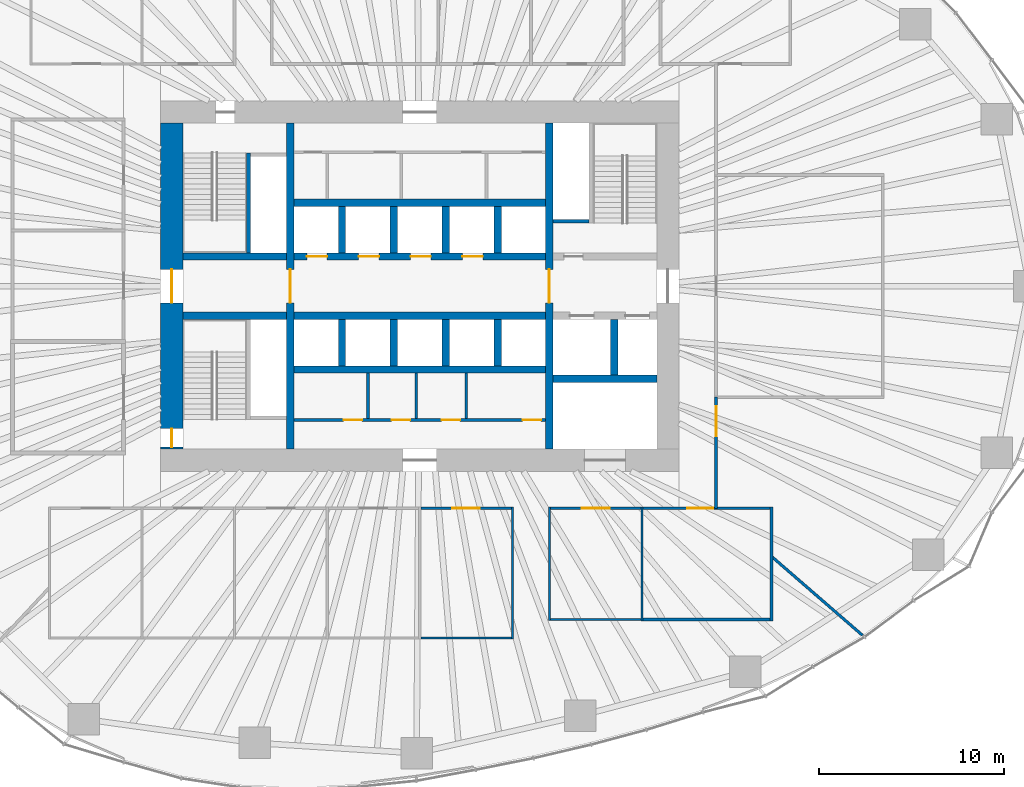
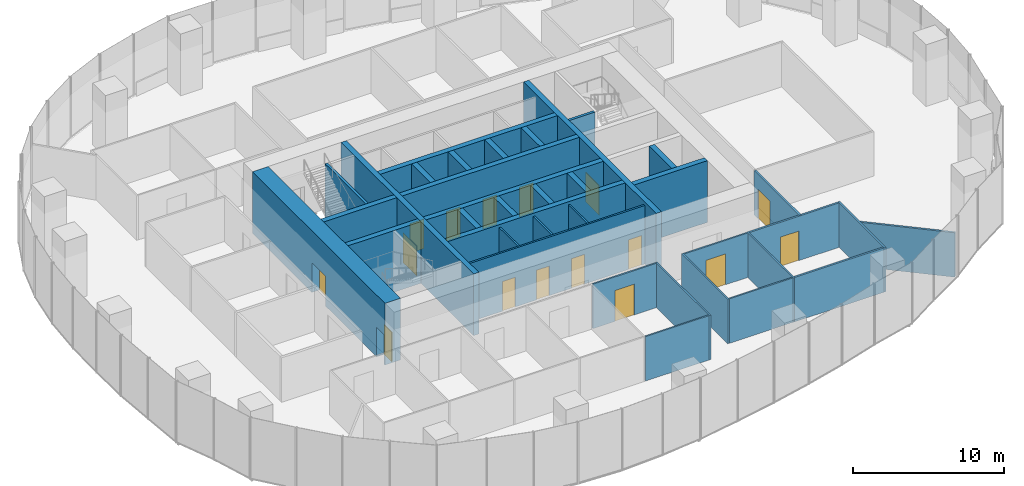
# One storey, part 10 of 20: 37 walls, 16 doors, 16 openings.
"""IFC4 building model written with IfcOpenShell, lengths in metres."""

import ifcopenshell
import ifcopenshell.guid

model = None  # the IFC model being written
_history = None  # IfcOwnerHistory: only IFC2X3 demands one
_inside = {}  # id of a spatial element -> (the spatial element, [elements in it])
_under = {}  # id of a project, library or spatial element -> (it, [spatial elements below it])
_declared = {}  # id of a project -> (the project, [libraries it declares])
_typed = {}  # id of a type object -> (the type object, [elements of that type])
_made_of = {}  # id of a material, layer set ... -> (it, [elements and type objects made of it])


def new_model(schema):
    """Start an empty IFC model of exactly this schema.

    Asked for "IFC4X3", IfcOpenShell would pick the latest addendum, in which some entities
    have other attributes; the version numbers below select the first issue.
    IFC2X3 requires an IfcOwnerHistory on every rooted entity: one is made here for all.
    """
    global model, _history
    if schema == "IFC4X3":
        model = ifcopenshell.file(schema_version=(4, 3, 0, 0))
    else:
        model = ifcopenshell.file(schema=schema)
    _inside.clear()
    _under.clear()
    _declared.clear()
    _typed.clear()
    _made_of.clear()
    _history = None
    if model.schema == "IFC2X3":
        org = make("IfcOrganization", Name="unknown")
        user = make(
            "IfcPersonAndOrganization",
            ThePerson=make("IfcPerson", FamilyName="unknown"),
            TheOrganization=org,
        )
        app = make(
            "IfcApplication",
            ApplicationDeveloper=org,
            Version="unknown",
            ApplicationFullName="unknown",
            ApplicationIdentifier="unknown",
        )
        _history = make(
            "IfcOwnerHistory",
            OwningUser=user,
            OwningApplication=app,
            ChangeAction="ADDED",
            CreationDate=0,
        )
    return model


def make(cls, **values):
    """One entity of the class cls with the attributes given. An attribute that is None is left unset."""
    return model.create_entity(
        cls, **{name: value for name, value in values.items() if value is not None}
    )


def rooted(cls, **values):
    """An entity with a GlobalId (a new one), such as an element, a storey or a relation."""
    return make(cls, GlobalId=ifcopenshell.guid.new(), OwnerHistory=_history, **values)


def si_unit(unit_type, name, prefix=None):
    """IfcSIUnit, for example si_unit("LENGTHUNIT", "METRE", prefix="MILLI")."""
    return make("IfcSIUnit", UnitType=unit_type, Prefix=prefix, Name=name)


def assignment(units):
    """IfcUnitAssignment: the units of a project."""
    return None if units is None else make("IfcUnitAssignment", Units=units)


def point(xyz):
    """IfcCartesianPoint."""
    return None if xyz is None else make("IfcCartesianPoint", Coordinates=xyz)


def direction(xyz):
    """IfcDirection."""
    return None if xyz is None else make("IfcDirection", DirectionRatios=xyz)


def frame(location, z_axis=None, x_axis=None):
    """IfcAxis2Placement3D, a coordinate frame: its origin and axes. An axis left out is left unset."""
    return make(
        "IfcAxis2Placement3D",
        Location=point(location),
        Axis=direction(z_axis),
        RefDirection=direction(x_axis),
    )


def frame_2d(location, x_axis=None):
    """IfcAxis2Placement2D, a coordinate frame in the plane: its origin and x axis."""
    return make(
        "IfcAxis2Placement2D", Location=point(location), RefDirection=direction(x_axis)
    )


def origin():
    """The frame at (0, 0, 0) with its axes left unset."""
    return frame((0.0, 0.0, 0.0))


def place(relative_to, where):
    """IfcLocalPlacement: puts the frame where relative to a parent placement (None: the world)."""
    return make(
        "IfcLocalPlacement", PlacementRelTo=relative_to, RelativePlacement=where
    )


def context(
    kind, dimensions, precision=None, world=None, true_north=None, identifier=None
):
    """IfcGeometricRepresentationContext, for example the 3D "Model" context."""
    return make(
        "IfcGeometricRepresentationContext",
        ContextIdentifier=identifier,
        ContextType=kind,
        CoordinateSpaceDimension=dimensions,
        Precision=precision,
        WorldCoordinateSystem=world,
        TrueNorth=true_north,
    )


def subcontext(parent, identifier, kind, view, scale=None):
    """IfcGeometricRepresentationSubContext, for example "Body" below "Model"."""
    return make(
        "IfcGeometricRepresentationSubContext",
        ContextIdentifier=identifier,
        ContextType=kind,
        ParentContext=parent,
        TargetScale=scale,
        TargetView=view,
    )


def project(units=None, contexts=None):
    """IfcProject with its units and contexts."""
    return rooted(
        "IfcProject",
        Name="project",
        RepresentationContexts=contexts,
        UnitsInContext=assignment(units),
    )


def spatial(cls, under=None, at=None, **own):
    """A site, building, storey or space (cls), placed at a placement, below another one or the project."""
    s = rooted(cls, ObjectPlacement=at, **own)
    if under is not None:
        _under.setdefault(under.id(), (under, []))[1].append(s)
    return s


def profile(cls, at=None, kind="AREA", **sizes):
    """A parametric profile (cls). Its sizes go by their IFC names, for example OverallWidth=200.0."""
    return make(cls, ProfileType=kind, Position=at, **sizes)


def rectangle(**sizes):
    """IfcRectangleProfileDef."""
    return profile("IfcRectangleProfileDef", **sizes)


def extrude(swept, where, along, depth):
    """IfcExtrudedAreaSolid: the profile swept, set in the frame where, extruded along a direction by depth."""
    return make(
        "IfcExtrudedAreaSolid",
        SweptArea=swept,
        Position=where,
        ExtrudedDirection=direction(along),
        Depth=depth,
    )


def shape(context_of_items, identifier, shape_type, items):
    """IfcShapeRepresentation: the items that make up one representation, for example the "Body"."""
    return make(
        "IfcShapeRepresentation",
        ContextOfItems=context_of_items,
        RepresentationIdentifier=identifier,
        RepresentationType=shape_type,
        Items=items,
    )


def material(Name=None, Category=None):
    """IfcMaterial."""
    return make("IfcMaterial", Name=Name, Category=Category)


def layer(
    of_material, thickness, ventilated=None, Name=None, Category=None, Priority=None
):
    """IfcMaterialLayer: one layer of a wall or slab, of a material (None: an air gap)."""
    return make(
        "IfcMaterialLayer",
        Material=of_material,
        LayerThickness=thickness,
        IsVentilated=ventilated,
        Name=Name,
        Category=Category,
        Priority=Priority,
    )


def layer_set(layers, Name=None):
    """IfcMaterialLayerSet."""
    return make("IfcMaterialLayerSet", MaterialLayers=layers, LayerSetName=Name)


def made_of(thing, what):
    """Note that an element or type object is made of a material, layer set ...; save() writes the relation."""
    if what is not None:
        _made_of.setdefault(what.id(), (what, []))[1].append(thing)
    return thing


def type_object(cls, material=None, **own):
    """A type object (cls), such as IfcWallType, which elements share."""
    return made_of(rooted(cls, **own), material)


def element(
    cls,
    number,
    at=None,
    inside=None,
    cuts=None,
    type_object=None,
    material=None,
    context=None,
    identifier="Body",
    shape_type=None,
    held_by="IfcProductDefinitionShape",
    body=None,
    shapes=None,
    **own,
):
    """One element of the class cls, such as IfcWall. Its Tag is "e" and its number.

    at: its placement. inside: the storey or other place that contains it. cuts: it is an
    opening in that element (IfcRelVoidsElement). A single representation is given by context,
    identifier, shape_type and body (its items); several are given by shapes. held_by: the class
    of the entity that holds the representations. save() writes the other relations.
    """
    e = rooted(cls, Tag="e%d" % number, ObjectPlacement=at, **own)
    if body is not None:
        shapes = [shape(context, identifier, shape_type, body)]
    if shapes is not None:
        e.Representation = make(held_by, Representations=shapes)
    if inside is not None:
        _inside.setdefault(inside.id(), (inside, []))[1].append(e)
    if cuts is not None:
        rooted(
            "IfcRelVoidsElement", RelatingBuildingElement=cuts, RelatedOpeningElement=e
        )
    if type_object is not None:
        _typed.setdefault(type_object.id(), (type_object, []))[1].append(e)
    return made_of(e, material)


def fill(opening, filler):
    """IfcRelFillsElement: the door or window that sits in an opening."""
    return rooted(
        "IfcRelFillsElement",
        RelatingOpeningElement=opening,
        RelatedBuildingElement=filler,
    )


def aggregate(whole, parts):
    """IfcRelAggregates: a whole, such as a stair, and the parts it consists of."""
    return rooted("IfcRelAggregates", RelatingObject=whole, RelatedObjects=parts)


def save(model, path):
    """Write the relations noted so far, then the file.

    IfcRelAggregates (storeys below a building ...), IfcRelContainedInSpatialStructure (elements
    in a storey), IfcRelDefinesByType, IfcRelAssociatesMaterial and IfcRelDeclares: one each for
    every whole, place, type object, material and project.
    """
    for whole, parts in _under.values():
        aggregate(whole, parts)
    for where, things in _inside.values():
        rooted(
            "IfcRelContainedInSpatialStructure",
            RelatedElements=things,
            RelatingStructure=where,
        )
    for kind, things in _typed.values():
        rooted("IfcRelDefinesByType", RelatedObjects=things, RelatingType=kind)
    for what, things in _made_of.values():
        rooted("IfcRelAssociatesMaterial", RelatedObjects=things, RelatingMaterial=what)
    for by, libraries in _declared.values():
        rooted("IfcRelDeclares", RelatingContext=by, RelatedDefinitions=libraries)
    model.write(path)


model = new_model("IFC4")

# Units and contexts
model_context = context("Model", 3, precision=1e-05, world=origin(), true_north=direction((0.0, 1.0)))
body_context = subcontext(model_context, "Body", "Model", "MODEL_VIEW")
ifc_project = project(units=[si_unit("LENGTHUNIT", "METRE"), si_unit("AREAUNIT", "SQUARE_METRE"), si_unit("VOLUMEUNIT", "CUBIC_METRE"), si_unit("PLANEANGLEUNIT", "RADIAN"), si_unit("MASSUNIT", "GRAM", prefix="KILO")], contexts=[model_context])

# Site, building, storey
site_placement = place(None, origin())
site = spatial("IfcSite", under=ifc_project, at=site_placement, CompositionType="ELEMENT")
building_placement = place(site_placement, origin())
building = spatial("IfcBuilding", under=site, at=building_placement, Name="Ghaith Harvest Tower", CompositionType="ELEMENT")
storey_placement = place(building_placement, frame((0.0, 0.0, 55.0)))
storey = spatial("IfcBuildingStorey", under=building, at=storey_placement, Name="L11", CompositionType="ELEMENT", Elevation=55.0)

# Wall, openings, doors
ifc_material_1 = material(Name="Concrete blockwork, fair-faced", Category="masonry")
ifc_layer_1 = layer(ifc_material_1, 0.139892578125)
ifc_layer_set_1 = layer_set([ifc_layer_1], Name="CORE PARTITION 140")
wall_type_1 = type_object("IfcWallType", Name="CORE PARTITION 140", PredefinedType="PARTITIONING", material=ifc_layer_set_1)
wall_1_placement = place(storey_placement, frame((-6.800048828125, -7.22998046875, 0.0), z_axis=(0.0, 0.0, 1.0), x_axis=(1.0, 0.0, 0.0)))
wall_1 = element("IfcWall", 1, at=wall_1_placement, inside=storey, type_object=wall_type_1, Name="Core partition L11", PredefinedType="PARTITIONING", context=body_context, shape_type="SweptSolid", body=[
    extrude(rectangle(XDim=13.60009765625, YDim=0.139892578125, at=frame_2d((6.800048828125, 0.0))), origin(), (0.0, 0.0, 1.0), 4.75),
])
opening_1_placement = place(wall_1_placement, frame((2.679931640625, 0.0, 0.0)))
opening_1 = element("IfcOpeningElement", 2, at=opening_1_placement, cuts=wall_1, Name="Opening 11-012", PredefinedType="OPENING", context=body_context, shape_type="SweptSolid", body=[
    extrude(rectangle(XDim=1.0, YDim=2.39990234375, at=frame_2d((0.5, 1.199951171875))), frame((0.0, 0.080078125, 0.0), z_axis=(0.0, -1.0, 0.0), x_axis=(1.0, 0.0, 0.0)), (0.0, 0.0, 1.0), 0.159912109375),
])
opening_2_placement = place(wall_1_placement, frame((5.280029296875, 0.0, 0.0)))
opening_2 = element("IfcOpeningElement", 3, at=opening_2_placement, cuts=wall_1, Name="Opening 11-013", PredefinedType="OPENING", context=body_context, shape_type="SweptSolid", body=[
    extrude(rectangle(XDim=1.0, YDim=2.39990234375, at=frame_2d((0.5, 1.199951171875))), frame((0.0, 0.080078125, 0.0), z_axis=(0.0, -1.0, 0.0), x_axis=(1.0, 0.0, 0.0)), (0.0, 0.0, 1.0), 0.159912109375),
])
opening_3_placement = place(wall_1_placement, frame((7.97998046875, 0.0, 0.0)))
opening_3 = element("IfcOpeningElement", 4, at=opening_3_placement, cuts=wall_1, Name="Opening 11-014", PredefinedType="OPENING", context=body_context, shape_type="SweptSolid", body=[
    extrude(rectangle(XDim=1.0, YDim=2.39990234375, at=frame_2d((0.5, 1.199951171875))), frame((0.0, 0.080078125, 0.0), z_axis=(0.0, -1.0, 0.0), x_axis=(1.0, 0.0, 0.0)), (0.0, 0.0, 1.0), 0.159912109375),
])
opening_4_placement = place(wall_1_placement, frame((12.35009765625, 0.0, 0.0)))
opening_4 = element("IfcOpeningElement", 5, at=opening_4_placement, cuts=wall_1, Name="Opening 11-015", PredefinedType="OPENING", context=body_context, shape_type="SweptSolid", body=[
    extrude(rectangle(XDim=1.0, YDim=2.39990234375, at=frame_2d((0.5, 1.199951171875))), frame((0.0, 0.080078125, 0.0), z_axis=(0.0, -1.0, 0.0), x_axis=(1.0, 0.0, 0.0)), (0.0, 0.0, 1.0), 0.159912109375),
])
ifc_material_2 = material(Name="Steel fire door", Category="steel")
door_type_1 = type_object("IfcDoorType", Name="D3 FD90 1000x2400", OperationType="SINGLE_SWING_LEFT", PredefinedType="DOOR", material=ifc_material_2)
door_1_placement = place(opening_1_placement, origin())
door_1 = element("IfcDoor", 6, at=door_1_placement, inside=storey, type_object=door_type_1, Name="Electrical room door", OperationType="SINGLE_SWING_LEFT", OverallHeight=2.39990234375, OverallWidth=1.0, PredefinedType="DOOR", context=body_context, shape_type="SweptSolid", body=[
    extrude(rectangle(XDim=1.0, YDim=2.39990234375, at=frame_2d((0.5, 1.199951171875))), frame((0.0, 0.02490234375, 0.0), z_axis=(0.0, -1.0, 0.0), x_axis=(1.0, 0.0, 0.0)), (0.0, 0.0, 1.0), 0.050048828125),
])
fill(opening_1, door_1)
door_2_placement = place(opening_2_placement, origin())
door_2 = element("IfcDoor", 7, at=door_2_placement, inside=storey, type_object=door_type_1, Name="Communications equipment room door", OperationType="SINGLE_SWING_LEFT", OverallHeight=2.39990234375, OverallWidth=1.0, PredefinedType="DOOR", context=body_context, shape_type="SweptSolid", body=[
    extrude(rectangle(XDim=1.0, YDim=2.39990234375, at=frame_2d((0.5, 1.199951171875))), frame((0.0, 0.02490234375, 0.0), z_axis=(0.0, -1.0, 0.0), x_axis=(1.0, 0.0, 0.0)), (0.0, 0.0, 1.0), 0.050048828125),
])
fill(opening_2, door_2)
door_3_placement = place(opening_3_placement, origin())
door_3 = element("IfcDoor", 8, at=door_3_placement, inside=storey, type_object=door_type_1, Name="Staff WC door", OperationType="SINGLE_SWING_RIGHT", OverallHeight=2.39990234375, OverallWidth=1.0, PredefinedType="DOOR", context=body_context, shape_type="SweptSolid", body=[
    extrude(rectangle(XDim=1.0, YDim=2.39990234375, at=frame_2d((0.5, 1.199951171875))), frame((0.0, 0.02490234375, 0.0), z_axis=(0.0, -1.0, 0.0), x_axis=(1.0, 0.0, 0.0)), (0.0, 0.0, 1.0), 0.050048828125),
])
fill(opening_3, door_3)
door_4_placement = place(opening_4_placement, origin())
door_4 = element("IfcDoor", 9, at=door_4_placement, inside=storey, type_object=door_type_1, Name="Riser room door", OperationType="SINGLE_SWING_RIGHT", OverallHeight=2.39990234375, OverallWidth=1.0, PredefinedType="DOOR", context=body_context, shape_type="SweptSolid", body=[
    extrude(rectangle(XDim=1.0, YDim=2.39990234375, at=frame_2d((0.5, 1.199951171875))), frame((0.0, 0.02490234375, 0.0), z_axis=(0.0, -1.0, 0.0), x_axis=(1.0, 0.0, 0.0)), (0.0, 0.0, 1.0), 0.050048828125),
])
fill(opening_4, door_4)

# Walls
for number, where, z_axis, x_axis, name in (
    (10, (-2.800048828125, -4.699951171875, 0.0), (0.0, 0.0, 1.0), (0.0, -1.0, 0.0), "Core partition L11"),
    (11, (-0.199951171875, -4.699951171875, 0.0), (0.0, 0.0, 1.0), (0.0, -1.0, 0.0), "Core partition L11"),
    (12, (2.5, -4.699951171875, 0.0), (0.0, 0.0, 1.0), (0.0, -1.0, 0.0), "Core partition L11"),
):
    element("IfcWall", number, at=place(storey_placement, frame(where, z_axis=z_axis, x_axis=x_axis)), inside=storey, type_object=wall_type_1, Name=name, PredefinedType="PARTITIONING", context=body_context, shape_type="SweptSolid", body=[
        extrude(rectangle(XDim=2.4599609375, YDim=0.139892578125, at=frame_2d((1.22998046875, 0.0))), origin(), (0.0, 0.0, 1.0), 4.75),
    ])

# Wall, openings, doors
ifc_material_3 = material(Name="Concrete C70/85", Category="concrete")
ifc_layer_2 = layer(ifc_material_3, 1.199951171875)
ifc_layer_set_2 = layer_set([ifc_layer_2], Name="CORE WALL CW1200")
wall_type_2 = type_object("IfcWallType", Name="CORE WALL CW1200", PredefinedType="SHEAR", material=ifc_layer_set_2)
wall_2_placement = place(storey_placement, frame((-13.39990234375, 8.800048828125, 0.0), z_axis=(0.0, 0.0, 1.0), x_axis=(0.0, -1.0, 0.0)))
wall_2 = element("IfcWall", 13, at=wall_2_placement, inside=storey, type_object=wall_type_2, Name="Core wall W L11", PredefinedType="SHEAR", context=body_context, shape_type="SweptSolid", body=[
    extrude(rectangle(XDim=17.60009765625, YDim=1.199951171875, at=frame_2d((8.800048828125, 0.0))), origin(), (0.0, 0.0, 1.0), 5.0),
])
opening_5_placement = place(wall_2_placement, frame((7.89990234375, 0.0, 0.0)))
opening_5 = element("IfcOpeningElement", 14, at=opening_5_placement, cuts=wall_2, Name="Opening 11-001", PredefinedType="OPENING", context=body_context, shape_type="SweptSolid", body=[
    extrude(rectangle(XDim=1.800048828125, YDim=2.39990234375, at=frame_2d((0.89990234375, 1.199951171875))), frame((0.0, 0.60986328125, 0.0), z_axis=(0.0, -1.0, 0.0), x_axis=(1.0, 0.0, 0.0)), (0.0, 0.0, 1.0), 1.219970703125),
])
opening_6_placement = place(wall_2_placement, frame((16.5, 0.0, 0.0)))
opening_6 = element("IfcOpeningElement", 15, at=opening_6_placement, cuts=wall_2, Name="Opening 11-006", PredefinedType="OPENING", context=body_context, shape_type="SweptSolid", body=[
    extrude(rectangle(XDim=1.0, YDim=2.39990234375, at=frame_2d((0.5, 1.199951171875))), frame((0.0, 0.60986328125, 0.0), z_axis=(0.0, -1.0, 0.0), x_axis=(1.0, 0.0, 0.0)), (0.0, 0.0, 1.0), 1.219970703125),
])
door_5_placement = place(opening_6_placement, origin())
door_5 = element("IfcDoor", 16, at=door_5_placement, inside=storey, type_object=door_type_1, Name="Stair ST3 door", OperationType="SINGLE_SWING_RIGHT", OverallHeight=2.39990234375, OverallWidth=1.0, PredefinedType="DOOR", context=body_context, shape_type="SweptSolid", body=[
    extrude(rectangle(XDim=1.0, YDim=2.39990234375, at=frame_2d((0.5, 1.199951171875))), frame((0.0, 0.02490234375, 0.0), z_axis=(0.0, -1.0, 0.0), x_axis=(1.0, 0.0, 0.0)), (0.0, 0.0, 1.0), 0.050048828125),
])
fill(opening_6, door_5)
ifc_material_4 = material(Name="Steel fire door", Category="steel")
door_type_2 = type_object("IfcDoorType", Name="D4 FD90 PAIR 1800x2400", OperationType="DOUBLE_DOOR_SINGLE_SWING", PredefinedType="DOOR", material=ifc_material_4)
door_6_placement = place(opening_5_placement, origin())
door_6 = element("IfcDoor", 17, at=door_6_placement, inside=storey, type_object=door_type_2, Name="West lobby doors", OperationType="DOUBLE_DOOR_SINGLE_SWING", OverallHeight=2.39990234375, OverallWidth=1.800048828125, PredefinedType="DOOR", context=body_context, shape_type="SweptSolid", body=[
    extrude(rectangle(XDim=1.800048828125, YDim=2.39990234375, at=frame_2d((0.89990234375, 1.199951171875))), frame((0.0, 0.02490234375, 0.0), z_axis=(0.0, -1.0, 0.0), x_axis=(1.0, 0.0, 0.0)), (0.0, 0.0, 1.0), 0.050048828125),
])
fill(opening_5, door_6)

# Wall
ifc_material_5 = material(Name="Insulated food-grade panel", Category="steel")
ifc_layer_3 = layer(ifc_material_5, 0.1201171875)
ifc_layer_set_3 = layer_set([ifc_layer_3], Name="INSULATED PANEL WALL 120")
wall_type_3 = type_object("IfcWallType", Name="INSULATED PANEL WALL 120", PredefinedType="PARTITIONING", material=ifc_layer_set_3)
wall_3_placement = place(storey_placement, frame((5.0, -11.93994140625, 0.0), z_axis=(0.0, 0.0, 1.0), x_axis=(0.0, -1.0, 0.0)))
element("IfcWall", 18, at=wall_3_placement, inside=storey, type_object=wall_type_3, Name="Partition L11 row S1 cross wall 6", PredefinedType="PARTITIONING", context=body_context, shape_type="SweptSolid", body=[
    extrude(rectangle(XDim=7.1201171875, YDim=0.1201171875, at=frame_2d((3.56005859375, 0.0))), origin(), (0.0, 0.0, 1.0), 3.60009765625),
])

# Wall, opening, door
wall_4_placement = place(storey_placement, frame((0.06005859375, -12.0, 0.0), z_axis=(0.0, 0.0, 1.0), x_axis=(1.0, 0.0, 0.0)))
wall_4 = element("IfcWall", 19, at=wall_4_placement, inside=storey, type_object=wall_type_3, Name="Partition L11-05", PredefinedType="PARTITIONING", context=body_context, shape_type="SweptSolid", body=[
    extrude(rectangle(XDim=4.8798828125, YDim=0.1201171875, at=frame_2d((2.43994140625, 0.0))), origin(), (0.0, 0.0, 1.0), 3.60009765625),
])
opening_7_placement = place(wall_4_placement, frame((1.68994140625, 0.0, 0.0)))
opening_7 = element("IfcOpeningElement", 20, at=opening_7_placement, cuts=wall_4, Name="Opening 11-029", PredefinedType="OPENING", context=body_context, shape_type="SweptSolid", body=[
    extrude(rectangle(XDim=1.5, YDim=2.5, at=frame_2d((0.75, 1.25))), frame((0.0, 0.070068359375, 0.0), z_axis=(0.0, -1.0, 0.0), x_axis=(1.0, 0.0, 0.0)), (0.0, 0.0, 1.0), 0.14013671875),
])
ifc_material_6 = material(Name="Insulated steel sliding door", Category="steel")
door_type_3 = type_object("IfcDoorType", Name="D13 COLD STORE SLIDING 1500x2500", OperationType="SLIDING_TO_LEFT", PredefinedType="DOOR", material=ifc_material_6)
door_7_placement = place(opening_7_placement, origin())
door_7 = element("IfcDoor", 21, at=door_7_placement, inside=storey, type_object=door_type_3, Name="Microgreen chamber door", OperationType="SLIDING_TO_LEFT", OverallHeight=2.5, OverallWidth=1.5, PredefinedType="DOOR", context=body_context, shape_type="SweptSolid", body=[
    extrude(rectangle(XDim=1.5, YDim=2.5, at=frame_2d((0.75, 1.25))), frame((0.0, 0.02490234375, 0.0), z_axis=(0.0, -1.0, 0.0), x_axis=(1.0, 0.0, 0.0)), (0.0, 0.0, 1.0), 0.050048828125),
])
fill(opening_7, door_7)

# Walls
wall_5_placement = place(storey_placement, frame((0.06005859375, -19.0, 0.0), z_axis=(0.0, 0.0, 1.0), x_axis=(1.0, 0.0, 0.0)))
element("IfcWall", 22, at=wall_5_placement, inside=storey, type_object=wall_type_3, Name="Partition L11-05", PredefinedType="PARTITIONING", context=body_context, shape_type="SweptSolid", body=[
    extrude(rectangle(XDim=4.8798828125, YDim=0.1201171875, at=frame_2d((2.43994140625, 0.0))), origin(), (0.0, 0.0, 1.0), 3.60009765625),
])
wall_6_placement = place(storey_placement, frame((7.0, -11.93994140625, 0.0), z_axis=(0.0, 0.0, 1.0), x_axis=(0.0, -1.0, 0.0)))
element("IfcWall", 23, at=wall_6_placement, inside=storey, type_object=wall_type_3, Name="Partition L11 row S2 cross wall 1", PredefinedType="PARTITIONING", context=body_context, shape_type="SweptSolid", body=[
    extrude(rectangle(XDim=6.1201171875, YDim=0.1201171875, at=frame_2d((3.06005859375, 0.0))), origin(), (0.0, 0.0, 1.0), 3.60009765625),
])
wall_7_placement = place(storey_placement, frame((12.0, -11.925048828125, 0.0), z_axis=(0.0, 0.0, 1.0), x_axis=(0.0, -1.0, 0.0)))
element("IfcWall", 24, at=wall_7_placement, inside=storey, type_object=wall_type_3, Name="Partition L11 row S2 cross wall 2", PredefinedType="PARTITIONING", context=body_context, shape_type="SweptSolid", body=[
    extrude(rectangle(XDim=6.14990234375, YDim=0.1201171875, at=frame_2d((3.074951171875, 0.0))), origin(), (0.0, 0.0, 1.0), 3.60009765625),
])

# Wall, opening, door
wall_8_placement = place(storey_placement, frame((7.06005859375, -12.0, 0.0), z_axis=(0.0, 0.0, 1.0), x_axis=(1.0, 0.0, 0.0)))
wall_8 = element("IfcWall", 25, at=wall_8_placement, inside=storey, type_object=wall_type_3, Name="Partition L11-06", PredefinedType="PARTITIONING", context=body_context, shape_type="SweptSolid", body=[
    extrude(rectangle(XDim=4.8798828125, YDim=0.1201171875, at=frame_2d((2.43994140625, 0.0))), origin(), (0.0, 0.0, 1.0), 3.60009765625),
])
opening_8_placement = place(wall_8_placement, frame((1.68994140625, 0.0, 0.0)))
opening_8 = element("IfcOpeningElement", 26, at=opening_8_placement, cuts=wall_8, Name="Opening 11-030", PredefinedType="OPENING", context=body_context, shape_type="SweptSolid", body=[
    extrude(rectangle(XDim=1.5, YDim=2.5, at=frame_2d((0.75, 1.25))), frame((0.0, 0.070068359375, 0.0), z_axis=(0.0, -1.0, 0.0), x_axis=(1.0, 0.0, 0.0)), (0.0, 0.0, 1.0), 0.14013671875),
])
door_8_placement = place(opening_8_placement, origin())
door_8 = element("IfcDoor", 27, at=door_8_placement, inside=storey, type_object=door_type_3, Name="Cold store door", OperationType="SLIDING_TO_LEFT", OverallHeight=2.5, OverallWidth=1.5, PredefinedType="DOOR", context=body_context, shape_type="SweptSolid", body=[
    extrude(rectangle(XDim=1.5, YDim=2.5, at=frame_2d((0.75, 1.25))), frame((0.0, 0.02490234375, 0.0), z_axis=(0.0, -1.0, 0.0), x_axis=(1.0, 0.0, 0.0)), (0.0, 0.0, 1.0), 0.050048828125),
])
fill(opening_8, door_8)

# Walls
wall_9_placement = place(storey_placement, frame((7.06005859375, -18.0, 0.0), z_axis=(0.0, 0.0, 1.0), x_axis=(1.0, 0.0, 0.0)))
element("IfcWall", 28, at=wall_9_placement, inside=storey, type_object=wall_type_3, Name="Partition L11-06", PredefinedType="PARTITIONING", context=body_context, shape_type="SweptSolid", body=[
    extrude(rectangle(XDim=4.8798828125, YDim=0.1201171875, at=frame_2d((2.43994140625, 0.0))), origin(), (0.0, 0.0, 1.0), 3.60009765625),
])
ifc_material_7 = material(Name="Gypsum board on steel studs", Category="steel")
ifc_layer_4 = layer(ifc_material_7, 0.14990234375)
ifc_layer_set_4 = layer_set([ifc_layer_4], Name="PARTITION 150")
wall_type_4 = type_object("IfcWallType", Name="PARTITION 150", PredefinedType="PARTITIONING", material=ifc_layer_set_4)
wall_10_placement = place(storey_placement, frame((19.0, -11.925048828125, 0.0), z_axis=(0.0, 0.0, 1.0), x_axis=(0.0, -1.0, 0.0)))
element("IfcWall", 29, at=wall_10_placement, inside=storey, type_object=wall_type_4, Name="Partition L11 row S2 cross wall 3", PredefinedType="PARTITIONING", context=body_context, shape_type="SweptSolid", body=[
    extrude(rectangle(XDim=6.14990234375, YDim=0.14990234375, at=frame_2d((3.074951171875, 0.0))), origin(), (0.0, 0.0, 1.0), 3.60009765625),
])

# Wall, opening, door
wall_11_placement = place(storey_placement, frame((12.06005859375, -12.0, 0.0), z_axis=(0.0, 0.0, 1.0), x_axis=(1.0, 0.0, 0.0)))
wall_11 = element("IfcWall", 30, at=wall_11_placement, inside=storey, type_object=wall_type_4, Name="Partition L11-07", PredefinedType="PARTITIONING", context=body_context, shape_type="SweptSolid", body=[
    extrude(rectangle(XDim=6.864990234375, YDim=0.14990234375, at=frame_2d((3.4326171875, 0.0))), origin(), (0.0, 0.0, 1.0), 3.60009765625),
])
opening_9_placement = place(wall_11_placement, frame((2.382568359375, 0.0, 0.0)))
opening_9 = element("IfcOpeningElement", 31, at=opening_9_placement, cuts=wall_11, Name="Opening 11-031", PredefinedType="OPENING", context=body_context, shape_type="SweptSolid", body=[
    extrude(rectangle(XDim=1.39990234375, YDim=2.39990234375, at=frame_2d((0.699951171875, 1.199951171875))), frame((0.0, 0.0849609375, 0.0), z_axis=(0.0, -1.0, 0.0), x_axis=(1.0, 0.0, 0.0)), (0.0, 0.0, 1.0), 0.169921875),
])
ifc_material_8 = material(Name="Stainless steel faced door pair", Category="steel")
door_type_4 = type_object("IfcDoorType", Name="D14 HYGIENE PAIR 1400x2400", OperationType="DOUBLE_DOOR_DOUBLE_SWING", PredefinedType="DOOR", material=ifc_material_8)
door_9_placement = place(opening_9_placement, origin())
door_9 = element("IfcDoor", 32, at=door_9_placement, inside=storey, type_object=door_type_4, Name="Packing room door", OperationType="DOUBLE_DOOR_DOUBLE_SWING", OverallHeight=2.39990234375, OverallWidth=1.39990234375, PredefinedType="DOOR", context=body_context, shape_type="SweptSolid", body=[
    extrude(rectangle(XDim=1.39990234375, YDim=2.39990234375, at=frame_2d((0.699951171875, 1.199951171875))), frame((0.0, 0.02490234375, 0.0), z_axis=(0.0, -1.0, 0.0), x_axis=(1.0, 0.0, 0.0)), (0.0, 0.0, 1.0), 0.050048828125),
])
fill(opening_9, door_9)

# Walls
wall_12_placement = place(storey_placement, frame((12.06005859375, -18.0, 0.0), z_axis=(0.0, 0.0, 1.0), x_axis=(1.0, 0.0, 0.0)))
element("IfcWall", 33, at=wall_12_placement, inside=storey, type_object=wall_type_4, Name="Partition L11-07", PredefinedType="PARTITIONING", context=body_context, shape_type="SweptSolid", body=[
    extrude(rectangle(XDim=6.864990234375, YDim=0.14990234375, at=frame_2d((3.4326171875, 0.0))), origin(), (0.0, 0.0, 1.0), 3.60009765625),
])
wall_13_placement = place(storey_placement, frame((19.02001953125, -14.619384765625, 0.0), z_axis=(0.0, 0.0, 1.0), x_axis=(0.755435065004, -0.65522352107, 0.0)))
element("IfcWall", 34, at=wall_13_placement, inside=storey, type_object=wall_type_4, Name="Partition L11 zone division", PredefinedType="PARTITIONING", context=body_context, shape_type="SweptSolid", body=[
    extrude(rectangle(XDim=6.470703125, YDim=0.14990234375, at=frame_2d((3.2353515625, 0.0))), origin(), (0.0, 0.0, 1.0), 3.60009765625),
])

# Wall, opening, door
wall_14_placement = place(storey_placement, frame((16.0, -12.0, 0.0), z_axis=(0.0, 0.0, 1.0), x_axis=(0.0, 1.0, 0.0)))
wall_14 = element("IfcWall", 35, at=wall_14_placement, inside=storey, type_object=wall_type_4, Name="Partition L11 zone enclosure", PredefinedType="PARTITIONING", context=body_context, shape_type="SweptSolid", body=[
    extrude(rectangle(XDim=6.0, YDim=0.14990234375, at=frame_2d((3.0, 0.0))), origin(), (0.0, 0.0, 1.0), 3.60009765625),
])
opening_10_placement = place(wall_14_placement, frame((3.89990234375, 0.0, 0.0)))
opening_10 = element("IfcOpeningElement", 36, at=opening_10_placement, cuts=wall_14, Name="Opening 11-042", PredefinedType="OPENING", context=body_context, shape_type="SweptSolid", body=[
    extrude(rectangle(XDim=1.60009765625, YDim=2.39990234375, at=frame_2d((0.800048828125, 1.199951171875))), frame((0.0, 0.0849609375, 0.0), z_axis=(0.0, -1.0, 0.0), x_axis=(1.0, 0.0, 0.0)), (0.0, 0.0, 1.0), 0.169921875),
])
ifc_material_9 = material(Name="Timber door", Category="wood")
door_type_5 = type_object("IfcDoorType", Name="D2 PAIR 1600x2400", OperationType="DOUBLE_DOOR_SINGLE_SWING", PredefinedType="DOOR", material=ifc_material_9)
door_10_placement = place(opening_10_placement, origin())
door_10 = element("IfcDoor", 37, at=door_10_placement, inside=storey, type_object=door_type_5, Name="Microgreens growing area east door", OperationType="DOUBLE_DOOR_SINGLE_SWING", OverallHeight=2.39990234375, OverallWidth=1.60009765625, PredefinedType="DOOR", context=body_context, shape_type="SweptSolid", body=[
    extrude(rectangle(XDim=1.60009765625, YDim=2.39990234375, at=frame_2d((0.800048828125, 1.199951171875))), frame((0.0, 0.02490234375, 0.0), z_axis=(0.0, -1.0, 0.0), x_axis=(1.0, 0.0, 0.0)), (0.0, 0.0, 1.0), 0.050048828125),
])
fill(opening_10, door_10)

ifc_material_10 = material(Name="Concrete C70/85", Category="concrete")
ifc_layer_5 = layer(ifc_material_10, 0.39990234375)
ifc_layer_set_5 = layer_set([ifc_layer_5], Name="SHAFT WALL 400")
wall_type_5 = type_object("IfcWallType", Name="SHAFT WALL 400", PredefinedType="SHEAR", material=ifc_layer_set_5)
wall_15_placement = place(storey_placement, frame((-7.0, -8.800048828125, 0.0), z_axis=(0.0, 0.0, 1.0), x_axis=(0.0, 1.0, 0.0)))
wall_15 = element("IfcWall", 38, at=wall_15_placement, inside=storey, type_object=wall_type_5, Name="Shaft wall W7W L11", PredefinedType="SHEAR", context=body_context, shape_type="SweptSolid", body=[
    extrude(rectangle(XDim=17.60009765625, YDim=0.39990234375, at=frame_2d((8.800048828125, 0.0))), origin(), (0.0, 0.0, 1.0), 5.0),
])
opening_11_placement = place(wall_15_placement, frame((7.89990234375, 0.0, 0.0)))
opening_11 = element("IfcOpeningElement", 39, at=opening_11_placement, cuts=wall_15, Name="Opening 11-003", PredefinedType="OPENING", context=body_context, shape_type="SweptSolid", body=[
    extrude(rectangle(XDim=1.800048828125, YDim=2.39990234375, at=frame_2d((0.89990234375, 1.199951171875))), frame((0.0, 0.2099609375, 0.0), z_axis=(0.0, -1.0, 0.0), x_axis=(1.0, 0.0, 0.0)), (0.0, 0.0, 1.0), 0.419921875),
])
door_11_placement = place(opening_11_placement, origin())
door_11 = element("IfcDoor", 40, at=door_11_placement, inside=storey, type_object=door_type_2, Name="Lift lobby doors, west", OperationType="DOUBLE_DOOR_SINGLE_SWING", OverallHeight=2.39990234375, OverallWidth=1.800048828125, PredefinedType="DOOR", context=body_context, shape_type="SweptSolid", body=[
    extrude(rectangle(XDim=1.800048828125, YDim=2.39990234375, at=frame_2d((0.89990234375, 1.199951171875))), frame((0.0, 0.02490234375, 0.0), z_axis=(0.0, -1.0, 0.0), x_axis=(1.0, 0.0, 0.0)), (0.0, 0.0, 1.0), 0.050048828125),
])
fill(opening_11, door_11)

wall_16_placement = place(storey_placement, frame((7.0, -8.800048828125, 0.0), z_axis=(0.0, 0.0, 1.0), x_axis=(0.0, 1.0, 0.0)))
wall_16 = element("IfcWall", 41, at=wall_16_placement, inside=storey, type_object=wall_type_5, Name="Shaft wall W7E L11", PredefinedType="SHEAR", context=body_context, shape_type="SweptSolid", body=[
    extrude(rectangle(XDim=17.60009765625, YDim=0.39990234375, at=frame_2d((8.800048828125, 0.0))), origin(), (0.0, 0.0, 1.0), 5.0),
])
opening_12_placement = place(wall_16_placement, frame((7.89990234375, 0.0, 0.0)))
opening_12 = element("IfcOpeningElement", 42, at=opening_12_placement, cuts=wall_16, Name="Opening 11-004", PredefinedType="OPENING", context=body_context, shape_type="SweptSolid", body=[
    extrude(rectangle(XDim=1.800048828125, YDim=2.39990234375, at=frame_2d((0.89990234375, 1.199951171875))), frame((0.0, 0.2099609375, 0.0), z_axis=(0.0, -1.0, 0.0), x_axis=(1.0, 0.0, 0.0)), (0.0, 0.0, 1.0), 0.419921875),
])
door_12_placement = place(opening_12_placement, origin())
door_12 = element("IfcDoor", 43, at=door_12_placement, inside=storey, type_object=door_type_2, Name="Lift lobby doors, east", OperationType="DOUBLE_DOOR_SINGLE_SWING", OverallHeight=2.39990234375, OverallWidth=1.800048828125, PredefinedType="DOOR", context=body_context, shape_type="SweptSolid", body=[
    extrude(rectangle(XDim=1.800048828125, YDim=2.39990234375, at=frame_2d((0.89990234375, 1.199951171875))), frame((0.0, 0.02490234375, 0.0), z_axis=(0.0, -1.0, 0.0), x_axis=(1.0, 0.0, 0.0)), (0.0, 0.0, 1.0), 0.050048828125),
])
fill(opening_12, door_12)

# Wall, openings, doors
wall_17_placement = place(storey_placement, frame((-6.800048828125, 1.60009765625, 0.0), z_axis=(0.0, 0.0, 1.0), x_axis=(1.0, 0.0, 0.0)))
wall_17 = element("IfcWall", 44, at=wall_17_placement, inside=storey, type_object=wall_type_5, Name="Shaft wall LN L11", PredefinedType="SHEAR", context=body_context, shape_type="SweptSolid", body=[
    extrude(rectangle(XDim=13.60009765625, YDim=0.39990234375, at=frame_2d((6.800048828125, 0.0))), origin(), (0.0, 0.0, 1.0), 5.0),
])
opening_13_placement = place(wall_17_placement, frame((0.699951171875, 0.0, 0.0)))
opening_13 = element("IfcOpeningElement", 45, at=opening_13_placement, cuts=wall_17, Name="Opening 11-018", PredefinedType="OPENING", context=body_context, shape_type="SweptSolid", body=[
    extrude(rectangle(XDim=1.10009765625, YDim=2.39990234375, at=frame_2d((0.550048828125, 1.199951171875))), frame((0.0, 0.2099609375, 0.0), z_axis=(0.0, -1.0, 0.0), x_axis=(1.0, 0.0, 0.0)), (0.0, 0.0, 1.0), 0.419921875),
])
opening_14_placement = place(wall_17_placement, frame((3.5, 0.0, 0.0)))
opening_14 = element("IfcOpeningElement", 46, at=opening_14_placement, cuts=wall_17, Name="Opening 11-019", PredefinedType="OPENING", context=body_context, shape_type="SweptSolid", body=[
    extrude(rectangle(XDim=1.10009765625, YDim=2.39990234375, at=frame_2d((0.550048828125, 1.199951171875))), frame((0.0, 0.2099609375, 0.0), z_axis=(0.0, -1.0, 0.0), x_axis=(1.0, 0.0, 0.0)), (0.0, 0.0, 1.0), 0.419921875),
])
opening_15_placement = place(wall_17_placement, frame((6.300048828125, 0.0, 0.0)))
opening_15 = element("IfcOpeningElement", 47, at=opening_15_placement, cuts=wall_17, Name="Opening 11-020", PredefinedType="OPENING", context=body_context, shape_type="SweptSolid", body=[
    extrude(rectangle(XDim=1.10009765625, YDim=2.39990234375, at=frame_2d((0.550048828125, 1.199951171875))), frame((0.0, 0.2099609375, 0.0), z_axis=(0.0, -1.0, 0.0), x_axis=(1.0, 0.0, 0.0)), (0.0, 0.0, 1.0), 0.419921875),
])
opening_16_placement = place(wall_17_placement, frame((9.10009765625, 0.0, 0.0)))
opening_16 = element("IfcOpeningElement", 48, at=opening_16_placement, cuts=wall_17, Name="Opening 11-021", PredefinedType="OPENING", context=body_context, shape_type="SweptSolid", body=[
    extrude(rectangle(XDim=1.10009765625, YDim=2.39990234375, at=frame_2d((0.550048828125, 1.199951171875))), frame((0.0, 0.2099609375, 0.0), z_axis=(0.0, -1.0, 0.0), x_axis=(1.0, 0.0, 0.0)), (0.0, 0.0, 1.0), 0.419921875),
])
ifc_material_11 = material(Name="Steel fire door", Category="steel")
door_type_6 = type_object("IfcDoorType", Name="LD1 LANDING 1100x2400", OperationType="DOUBLE_DOOR_SLIDING", PredefinedType="DOOR", material=ifc_material_11)
door_13_placement = place(opening_13_placement, origin())
door_13 = element("IfcDoor", 49, at=door_13_placement, inside=storey, type_object=door_type_6, Name="Landing door, lift FA1", OperationType="DOUBLE_DOOR_SLIDING", OverallHeight=2.39990234375, OverallWidth=1.10009765625, PredefinedType="DOOR", context=body_context, shape_type="SweptSolid", body=[
    extrude(rectangle(XDim=1.10009765625, YDim=2.39990234375, at=frame_2d((0.550048828125, 1.199951171875))), frame((0.0, 0.02490234375, 0.0), z_axis=(0.0, -1.0, 0.0), x_axis=(1.0, 0.0, 0.0)), (0.0, 0.0, 1.0), 0.050048828125),
])
fill(opening_13, door_13)
door_14_placement = place(opening_14_placement, origin())
door_14 = element("IfcDoor", 50, at=door_14_placement, inside=storey, type_object=door_type_6, Name="Landing door, lift FA2", OperationType="DOUBLE_DOOR_SLIDING", OverallHeight=2.39990234375, OverallWidth=1.10009765625, PredefinedType="DOOR", context=body_context, shape_type="SweptSolid", body=[
    extrude(rectangle(XDim=1.10009765625, YDim=2.39990234375, at=frame_2d((0.550048828125, 1.199951171875))), frame((0.0, 0.02490234375, 0.0), z_axis=(0.0, -1.0, 0.0), x_axis=(1.0, 0.0, 0.0)), (0.0, 0.0, 1.0), 0.050048828125),
])
fill(opening_14, door_14)
door_15_placement = place(opening_15_placement, origin())
door_15 = element("IfcDoor", 51, at=door_15_placement, inside=storey, type_object=door_type_6, Name="Landing door, lift FA3", OperationType="DOUBLE_DOOR_SLIDING", OverallHeight=2.39990234375, OverallWidth=1.10009765625, PredefinedType="DOOR", context=body_context, shape_type="SweptSolid", body=[
    extrude(rectangle(XDim=1.10009765625, YDim=2.39990234375, at=frame_2d((0.550048828125, 1.199951171875))), frame((0.0, 0.02490234375, 0.0), z_axis=(0.0, -1.0, 0.0), x_axis=(1.0, 0.0, 0.0)), (0.0, 0.0, 1.0), 0.050048828125),
])
fill(opening_15, door_15)
door_16_placement = place(opening_16_placement, origin())
door_16 = element("IfcDoor", 52, at=door_16_placement, inside=storey, type_object=door_type_6, Name="Landing door, lift FA4", OperationType="DOUBLE_DOOR_SLIDING", OverallHeight=2.39990234375, OverallWidth=1.10009765625, PredefinedType="DOOR", context=body_context, shape_type="SweptSolid", body=[
    extrude(rectangle(XDim=1.10009765625, YDim=2.39990234375, at=frame_2d((0.550048828125, 1.199951171875))), frame((0.0, 0.02490234375, 0.0), z_axis=(0.0, -1.0, 0.0), x_axis=(1.0, 0.0, 0.0)), (0.0, 0.0, 1.0), 0.050048828125),
])
fill(opening_16, door_16)

# Walls
for number, where, z_axis, x_axis, name in (
    (53, (-6.800048828125, -1.60009765625, 0.0), (0.0, 0.0, 1.0), (1.0, 0.0, 0.0), "Shaft wall LS L11"),
    (54, (-6.800048828125, 4.5, 0.0), (0.0, 0.0, 1.0), (1.0, 0.0, 0.0), "Shaft wall BN L11"),
    (55, (-6.800048828125, -4.5, 0.0), (0.0, 0.0, 1.0), (1.0, 0.0, 0.0), "Shaft wall BS L11"),
):
    element("IfcWall", number, at=place(storey_placement, frame(where, z_axis=z_axis, x_axis=x_axis)), inside=storey, type_object=wall_type_5, Name=name, PredefinedType="SHEAR", context=body_context, shape_type="SweptSolid", body=[
        extrude(rectangle(XDim=13.60009765625, YDim=0.39990234375, at=frame_2d((6.800048828125, 0.0))), origin(), (0.0, 0.0, 1.0), 5.0),
    ])
for number, where, z_axis, x_axis, name in (
    (56, (-12.800048828125, 1.60009765625, 0.0), (0.0, 0.0, 1.0), (1.0, 0.0, 0.0), "Shaft wall WN L11"),
    (57, (-12.800048828125, -1.60009765625, 0.0), (0.0, 0.0, 1.0), (1.0, 0.0, 0.0), "Shaft wall WS L11"),
):
    element("IfcWall", number, at=place(storey_placement, frame(where, z_axis=z_axis, x_axis=x_axis)), inside=storey, type_object=wall_type_5, Name=name, PredefinedType="SHEAR", context=body_context, shape_type="SweptSolid", body=[
        extrude(rectangle(XDim=5.60009765625, YDim=0.39990234375, at=frame_2d((2.800048828125, 0.0))), origin(), (0.0, 0.0, 1.0), 5.0),
    ])
wall_18_placement = place(storey_placement, frame((10.5, -4.800048828125, 0.0), z_axis=(0.0, 0.0, 1.0), x_axis=(0.0, 1.0, 0.0)))
element("IfcWall", 58, at=wall_18_placement, inside=storey, type_object=wall_type_5, Name="Shaft wall FLD L11", PredefinedType="SHEAR", context=body_context, shape_type="SweptSolid", body=[
    extrude(rectangle(XDim=3.0, YDim=0.39990234375, at=frame_2d((1.5, 0.0))), origin(), (0.0, 0.0, 1.0), 5.0),
])
wall_19_placement = place(storey_placement, frame((7.199951171875, -5.0, 0.0), z_axis=(0.0, 0.0, 1.0), x_axis=(1.0, 0.0, 0.0)))
element("IfcWall", 59, at=wall_19_placement, inside=storey, type_object=wall_type_5, Name="Shaft wall FLB L11", PredefinedType="SHEAR", context=body_context, shape_type="SweptSolid", body=[
    extrude(rectangle(XDim=5.60009765625, YDim=0.39990234375, at=frame_2d((2.800048828125, 0.0))), origin(), (0.0, 0.0, 1.0), 5.0),
])
for number, where, z_axis, x_axis, name in (
    (60, (-4.199951171875, 1.800048828125, 0.0), (0.0, 0.0, 1.0), (0.0, 1.0, 0.0), "Shaft wall DN1 L11"),
    (61, (-4.199951171875, -4.300048828125, 0.0), (0.0, 0.0, 1.0), (0.0, 1.0, 0.0), "Shaft wall DS1 L11"),
    (62, (-1.39990234375, 1.800048828125, 0.0), (0.0, 0.0, 1.0), (0.0, 1.0, 0.0), "Shaft wall DN2 L11"),
    (63, (-1.39990234375, -4.300048828125, 0.0), (0.0, 0.0, 1.0), (0.0, 1.0, 0.0), "Shaft wall DS2 L11"),
    (64, (1.39990234375, 1.800048828125, 0.0), (0.0, 0.0, 1.0), (0.0, 1.0, 0.0), "Shaft wall DN3 L11"),
    (65, (1.39990234375, -4.300048828125, 0.0), (0.0, 0.0, 1.0), (0.0, 1.0, 0.0), "Shaft wall DS3 L11"),
    (66, (4.199951171875, 1.800048828125, 0.0), (0.0, 0.0, 1.0), (0.0, 1.0, 0.0), "Shaft wall DN4 L11"),
    (67, (4.199951171875, -4.300048828125, 0.0), (0.0, 0.0, 1.0), (0.0, 1.0, 0.0), "Shaft wall DS4 L11"),
):
    element("IfcWall", number, at=place(storey_placement, frame(where, z_axis=z_axis, x_axis=x_axis)), inside=storey, type_object=wall_type_5, Name=name, PredefinedType="SHEAR", context=body_context, shape_type="SweptSolid", body=[
        extrude(rectangle(XDim=2.5, YDim=0.39990234375, at=frame_2d((1.25, 0.0))), origin(), (0.0, 0.0, 1.0), 5.0),
    ])
ifc_material_12 = material(Name="Concrete C40/50", Category="concrete")
ifc_layer_6 = layer(ifc_material_12, 0.199951171875)
ifc_layer_set_6 = layer_set([ifc_layer_6], Name="STAIR SPINE WALL RC200")
wall_type_6 = type_object("IfcWallType", Name="STAIR SPINE WALL RC200", PredefinedType="SOLIDWALL", material=ifc_layer_set_6)
wall_20_placement = place(storey_placement, frame((-9.25, 7.199951171875, 0.0), z_axis=(0.0, 0.0, 1.0), x_axis=(0.0, -1.0, 0.0)))
element("IfcWall", 68, at=wall_20_placement, inside=storey, type_object=wall_type_6, Name="Stair ST1 spine wall L11", PredefinedType="SOLIDWALL", context=body_context, shape_type="SweptSolid", body=[
    extrude(rectangle(XDim=5.39990234375, YDim=0.199951171875, at=frame_2d((2.699951171875, 0.0))), origin(), (0.0, 0.0, 1.0), 5.0),
])
wall_21_placement = place(storey_placement, frame((9.14990234375, 3.5, 0.0), z_axis=(0.0, 0.0, 1.0), x_axis=(-1.0, 0.0, 0.0)))
element("IfcWall", 69, at=wall_21_placement, inside=storey, type_object=wall_type_6, Name="Stair ST2 spine wall return L11", PredefinedType="SOLIDWALL", context=body_context, shape_type="SweptSolid", body=[
    extrude(rectangle(XDim=1.949951171875, YDim=0.199951171875, at=frame_2d((0.97509765625, 0.0))), origin(), (0.0, 0.0, 1.0), 5.0),
])

save(model, "model.ifc")
